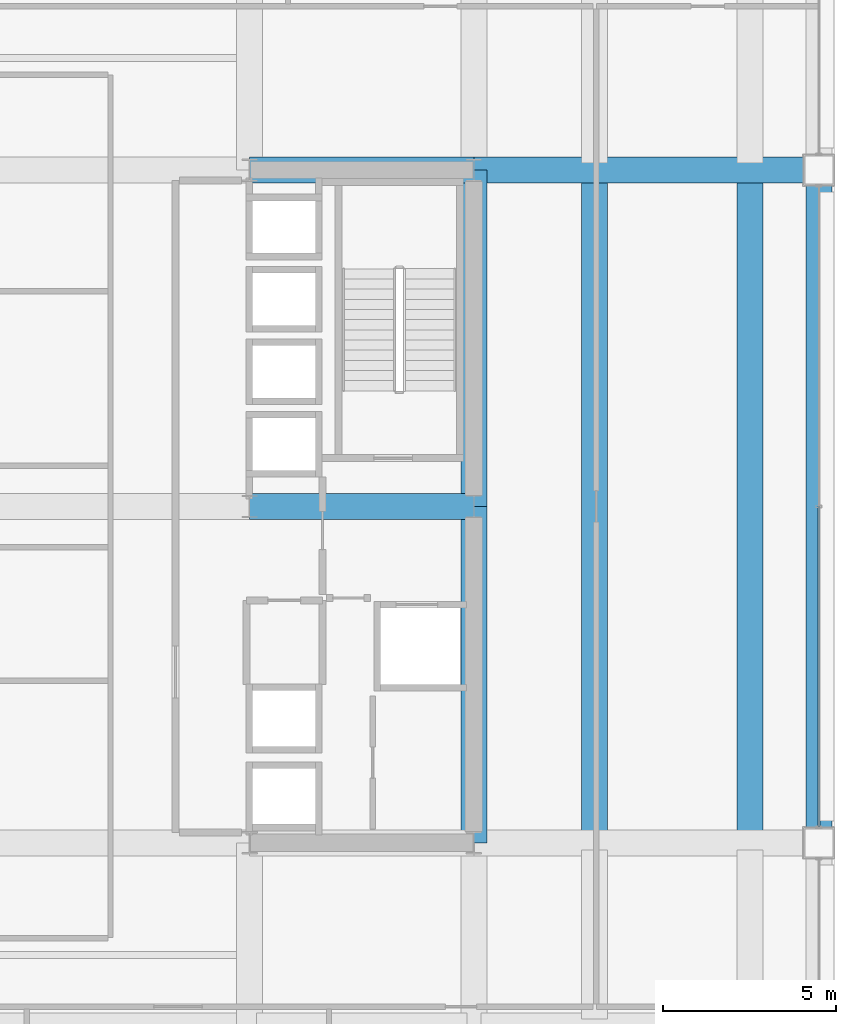
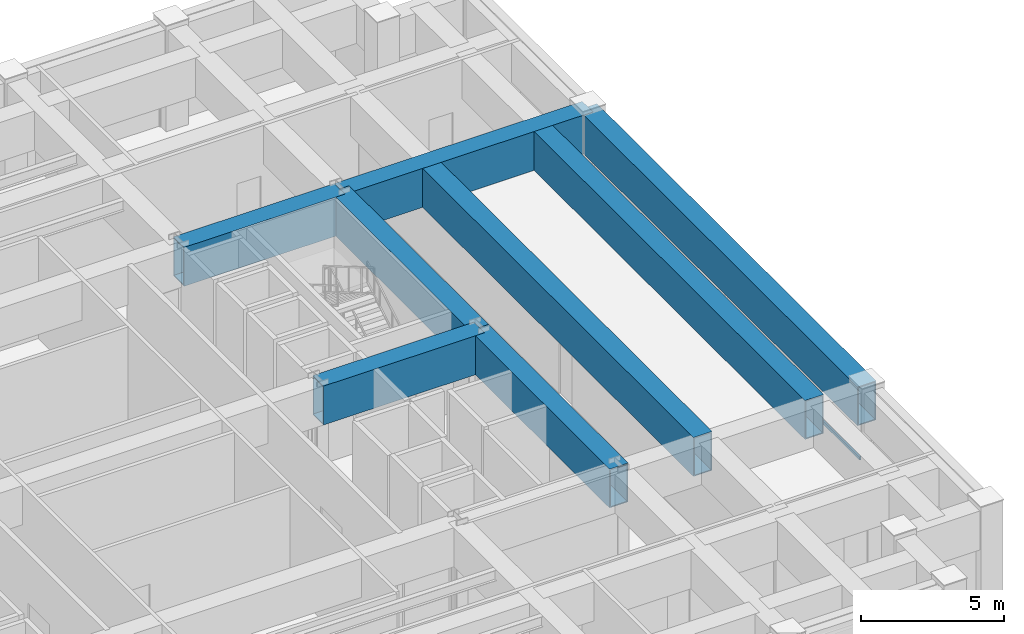
# One storey, part 15 of 29: 8 beams, 1 member, 1 element without a shape of its own.
"""IFC4 building model written with IfcOpenShell, lengths in metres."""

from ifc_helpers import new_model, si_unit, direction, frame, origin, origin_2d, place, context, subcontext, project, spatial, hollow_rectangle, extrude, material, layer, layer_set, material_profile, profile_set, type_object, element, aggregate, save


model = new_model("IFC4")

# Units and contexts
model_context = context("Model", 3, precision=1e-05, world=origin(), true_north=direction((0.0, 1.0)))
body_context = subcontext(model_context, "Body", "Model", "MODEL_VIEW")
ifc_project = project(units=[si_unit("LENGTHUNIT", "METRE"), si_unit("AREAUNIT", "SQUARE_METRE"), si_unit("VOLUMEUNIT", "CUBIC_METRE"), si_unit("PLANEANGLEUNIT", "RADIAN"), si_unit("MASSUNIT", "GRAM", prefix="KILO")], contexts=[model_context])

# Site, building, storey
site_placement = place(None, origin())
site = spatial("IfcSite", under=ifc_project, at=site_placement, CompositionType="ELEMENT")
building_placement = place(site_placement, origin())
building = spatial("IfcBuilding", under=site, at=building_placement, Name="Brelmoor Portico Tower", CompositionType="ELEMENT")
storey_placement = place(building_placement, frame((0.0, 0.0, 82.800048828125)))
storey = spatial("IfcBuildingStorey", under=building, at=storey_placement, Name="L21", CompositionType="ELEMENT", Elevation=82.800048828125)

# Beams
ifc_material_1 = material(Name="Steel Q355B", Category="steel")
ifc_material_profile_1 = material_profile(ifc_material_1, hollow_rectangle(XDim=0.75, YDim=1.659912109375, WallThickness=0.0419921875, at=origin_2d()), Name="BOX 750x1660x42")
ifc_profile_set_1 = profile_set([ifc_material_profile_1], Name="Steel Q355B")
beam_type = type_object("IfcBeamType", Name="BM-TG-Z2", PredefinedType="BEAM", material=ifc_profile_set_1)
beam_1_placement = place(storey_placement, frame((24.550048828125, -9.75, 3.469970703125), z_axis=(0.0, 1.0, 0.0), x_axis=(-1.0, 0.0, 0.0)))
element("IfcBeam", 1, at=beam_1_placement, inside=storey, type_object=beam_type, Name="L21 Perimeter Transfer Beam SP-23", PredefinedType="BEAM", context=body_context, shape_type="SweptSolid", body=[
    extrude(hollow_rectangle(XDim=0.75, YDim=1.659912109375, WallThickness=0.0419921875, at=origin_2d()), origin(), (0.0, 0.0, 1.0), 19.5),
])
for number, where, z_axis, x_axis, name in (
    (2, (14.550048828125, -9.75, 3.469970703125), (0.0, 1.0, 0.0), (-1.0, 0.0, 0.0), "L21 Setback Transfer Girder PG-12"),
    (3, (14.550048828125, 0.0, 3.469970703125), (0.0, 1.0, 0.0), (-1.0, 0.0, 0.0), "L21 Setback Transfer Girder PG-13"),
):
    element("IfcBeam", number, at=place(storey_placement, frame(where, z_axis=z_axis, x_axis=x_axis)), inside=storey, type_object=beam_type, Name=name, PredefinedType="BEAM", context=body_context, shape_type="SweptSolid", body=[
        extrude(hollow_rectangle(XDim=0.75, YDim=1.659912109375, WallThickness=0.0419921875, at=origin_2d()), origin(), (0.0, 0.0, 1.0), 9.75),
    ])
for number, where, z_axis, x_axis, name in (
    (4, (8.050048828125, 0.0, 3.469970703125), (1.0, 0.0, 0.0), (0.0, 1.0, 0.0), "L21 Setback Transfer Girder PG-26"),
    (5, (8.050048828125, 9.75, 3.469970703125), (1.0, 0.0, 0.0), (0.0, 1.0, 0.0), "L21 Setback Transfer Girder PG-30"),
):
    element("IfcBeam", number, at=place(storey_placement, frame(where, z_axis=z_axis, x_axis=x_axis)), inside=storey, type_object=beam_type, Name=name, PredefinedType="BEAM", context=body_context, shape_type="SweptSolid", body=[
        extrude(hollow_rectangle(XDim=0.75, YDim=1.659912109375, WallThickness=0.0419921875, at=origin_2d()), origin(), (0.0, 0.0, 1.0), 6.5),
    ])
beam_2_placement = place(storey_placement, frame((14.550048828125, 9.75, 3.469970703125), z_axis=(1.0, 0.0, 0.0), x_axis=(0.0, 1.0, 0.0)))
element("IfcBeam", 6, at=beam_2_placement, inside=storey, type_object=beam_type, Name="L21 Setback Transfer Girder PG-31", PredefinedType="BEAM", context=body_context, shape_type="SweptSolid", body=[
    extrude(hollow_rectangle(XDim=0.75, YDim=1.659912109375, WallThickness=0.0419921875, at=origin_2d()), origin(), (0.0, 0.0, 1.0), 10.0),
])
for number, where, z_axis, x_axis, name in (
    (7, (18.050048828125, -9.550048828125, 3.469970703125), (0.0, 1.0, 0.0), (-1.0, 0.0, 0.0), "L21 Setback Transfer Girder TGN-28"),
    (8, (22.550048828125, -9.550048828125, 3.469970703125), (0.0, 1.0, 0.0), (-1.0, 0.0, 0.0), "L21 Setback Transfer Girder TGN-38"),
):
    element("IfcBeam", number, at=place(storey_placement, frame(where, z_axis=z_axis, x_axis=x_axis)), inside=storey, type_object=beam_type, Name=name, PredefinedType="BEAM", context=body_context, shape_type="SweptSolid", body=[
        extrude(hollow_rectangle(XDim=0.75, YDim=1.659912109375, WallThickness=0.0419921875, at=origin_2d()), origin(), (0.0, 0.0, 1.0), 19.10009765625),
    ])

# Curtain wall, member
ifc_material_2 = material(Name="Anodised Aluminium Alloy 6063-T6", Category="aluminium")
ifc_layer = layer(ifc_material_2, 0.179931640625)
ifc_layer_set = layer_set([ifc_layer], Name="Anodised Aluminium Alloy 6063-T6")
curtain_wall_type = type_object("IfcCurtainWallType", Name="CW-TOWER-Z1", PredefinedType="NOTDEFINED", material=ifc_layer_set)
curtain_wall_placement = place(storey_placement, origin())
curtain_wall = element("IfcCurtainWall", 9, at=curtain_wall_placement, inside=storey, type_object=curtain_wall_type, Name="L21 Curtain Wall CW-L21-04-2", PredefinedType="NOTDEFINED")
ifc_material_profile_2 = material_profile(ifc_material_2, hollow_rectangle(XDim=0.06494140625, YDim=0.139892578125, WallThickness=0.00390625, at=origin_2d()), Name="ALU TRANSOM 65x140")
ifc_profile_set_2 = profile_set([ifc_material_profile_2], Name="Anodised Aluminium Alloy 6063-T6")
member_type = type_object("IfcMemberType", Name="MB-CW-TRAN-140", PredefinedType="USERDEFINED", material=ifc_profile_set_2)
member_placement = place(storey_placement, frame((24.550048828125, -9.2900390625, 0.849853515625), z_axis=(0.0, 1.0, 0.0), x_axis=(-1.0, 0.0, 0.0)))
member = element("IfcMember", 10, at=member_placement, type_object=member_type, Name="CW-L21-04-2 Transom 1-00", ObjectType="TRANSOM", PredefinedType="USERDEFINED", context=body_context, shape_type="SweptSolid", body=[
    extrude(hollow_rectangle(XDim=0.06494140625, YDim=0.139892578125, WallThickness=0.00390625, at=origin_2d()), origin(), (0.0, 0.0, 1.0), 9.2900390625),
])
aggregate(curtain_wall, [member])

save(model, "model.ifc")
